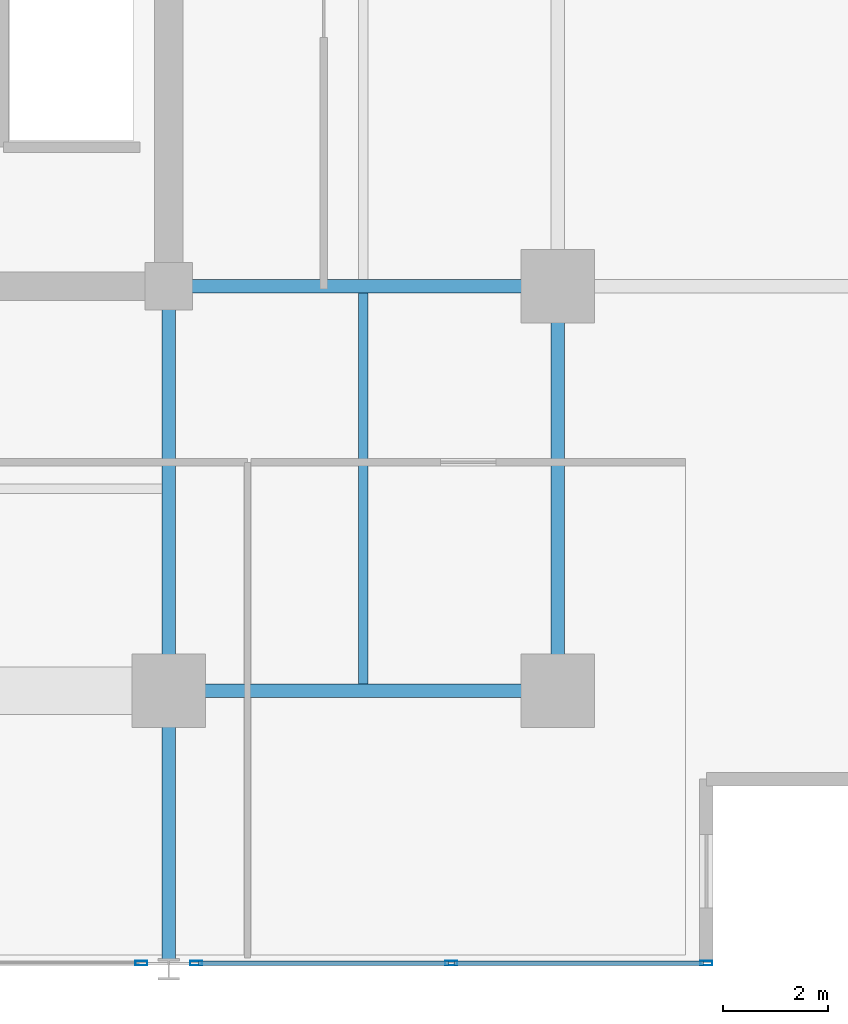
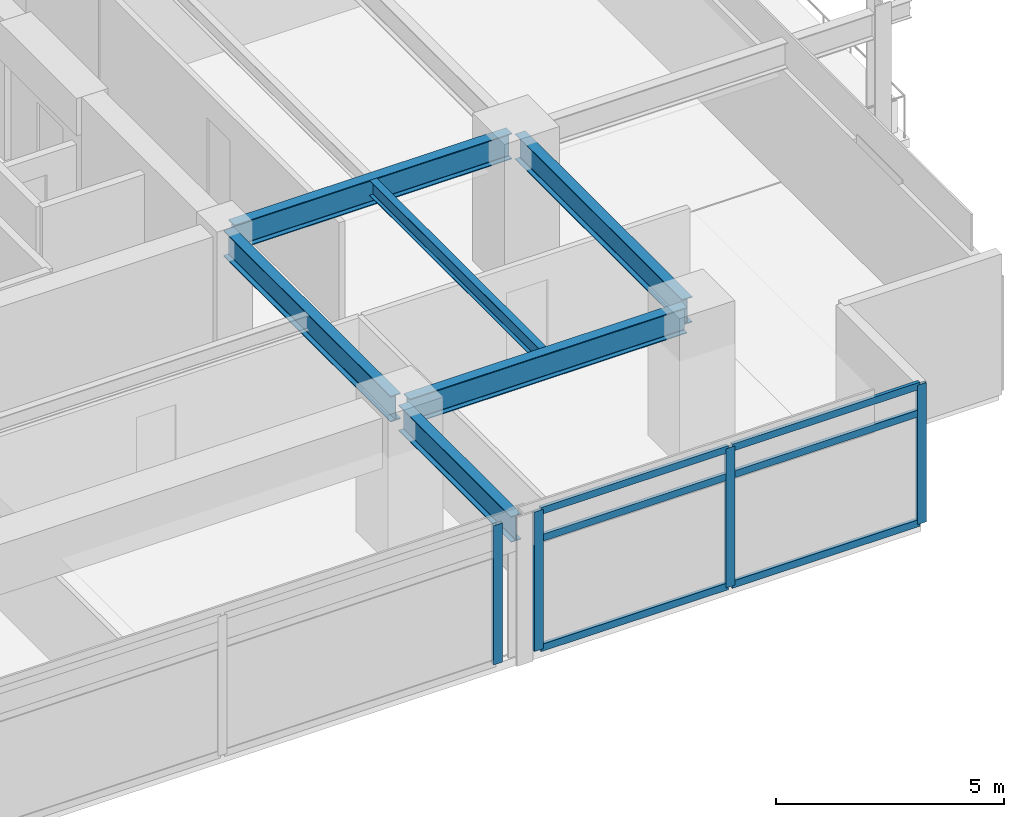
# One storey, part 9 of 20: 10 members, 6 beams, 2 elements without a shape of their own.
"""IFC4 building model written with IfcOpenShell, lengths in metres."""

from ifc_helpers import new_model, si_unit, direction, frame, origin, origin_2d, place, context, subcontext, project, spatial, hollow_rectangle, i_section, extrude, material, material_profile, profile_set, type_object, element, aggregate, save


model = new_model("IFC4")

# Units and contexts
model_context = context("Model", 3, precision=1e-05, world=origin(), true_north=direction((0.0, 1.0)))
body_context = subcontext(model_context, "Body", "Model", "MODEL_VIEW")
ifc_project = project(units=[si_unit("LENGTHUNIT", "METRE"), si_unit("AREAUNIT", "SQUARE_METRE"), si_unit("VOLUMEUNIT", "CUBIC_METRE"), si_unit("PLANEANGLEUNIT", "RADIAN"), si_unit("MASSUNIT", "GRAM", prefix="KILO")], contexts=[model_context])

# Site, building, storey
site_placement = place(None, origin())
site = spatial("IfcSite", under=ifc_project, at=site_placement, CompositionType="ELEMENT")
building_placement = place(site_placement, origin())
building = spatial("IfcBuilding", under=site, at=building_placement, Name="Kovane Verandah Tower", CompositionType="ELEMENT")
storey_placement = place(building_placement, frame((0.0, 0.0, 213.199951171875)))
storey = spatial("IfcBuildingStorey", under=building, at=storey_placement, Name="L49", CompositionType="ELEMENT", Elevation=213.199951171875)

# Beams
ifc_material_1 = material(Name="Steel S355", Category="steel")
ifc_material_profile_1 = material_profile(ifc_material_1, i_section(OverallWidth=0.255859375, OverallDepth=0.69287109375, WebThickness=0.014404296875, FlangeThickness=0.023681640625, FilletRadius=0.01513671875, at=origin_2d()), Name="UB686x254x170")
ifc_profile_set_1 = profile_set([ifc_material_profile_1], Name="Steel S355")
beam_type_1 = type_object("IfcBeamType", Name="BM-UB686x170", PredefinedType="BEAM", material=ifc_profile_set_1)
beam_1_placement = place(storey_placement, frame((51.179931640625, 10.800048828125, 3.428466796875), z_axis=(1.0, 0.0, 0.0), x_axis=(0.0, 1.0, 0.0)))
element("IfcBeam", 1, at=beam_1_placement, inside=storey, type_object=beam_type_1, Name="L49 Primary Tower Girder G-RS3", PredefinedType="BEAM", context=body_context, shape_type="SweptSolid", body=[
    extrude(i_section(OverallWidth=0.255859375, OverallDepth=0.69287109375, WebThickness=0.014404296875, FlangeThickness=0.023681640625, FilletRadius=0.01513671875, at=origin_2d()), origin(), (0.0, 0.0, 1.0), 7.0400390625),
])
beam_2_placement = place(storey_placement, frame((58.39990234375, 10.97998046875, 3.428466796875), z_axis=(0.0, 1.0, 0.0), x_axis=(-1.0, 0.0, 0.0)))
element("IfcBeam", 2, at=beam_2_placement, inside=storey, type_object=beam_type_1, Name="L49 Primary Tower Girder G-RE1", PredefinedType="BEAM", context=body_context, shape_type="SweptSolid", body=[
    extrude(i_section(OverallWidth=0.255859375, OverallDepth=0.69287109375, WebThickness=0.014404296875, FlangeThickness=0.023681640625, FilletRadius=0.01513671875, at=origin_2d()), origin(), (0.0, 0.0, 1.0), 7.340087890625),
])
beam_3_placement = place(storey_placement, frame((51.179931640625, 18.5, 3.428466796875), z_axis=(1.0, 0.0, 0.0), x_axis=(0.0, 1.0, 0.0)))
element("IfcBeam", 3, at=beam_3_placement, inside=storey, type_object=beam_type_1, Name="L49 Primary Tower Girder G-E1", PredefinedType="BEAM", context=body_context, shape_type="SweptSolid", body=[
    extrude(i_section(OverallWidth=0.255859375, OverallDepth=0.69287109375, WebThickness=0.014404296875, FlangeThickness=0.023681640625, FilletRadius=0.01513671875, at=origin_2d()), origin(), (0.0, 0.0, 1.0), 7.0400390625),
])
beam_4_placement = place(storey_placement, frame((51.0, 18.320068359375, 3.428466796875), z_axis=(0.0, -1.0, 0.0), x_axis=(1.0, 0.0, 0.0)))
element("IfcBeam", 4, at=beam_4_placement, inside=storey, type_object=beam_type_1, Name="L49 Primary Tower Girder G-S2", PredefinedType="BEAM", context=body_context, shape_type="SweptSolid", body=[
    extrude(i_section(OverallWidth=0.255859375, OverallDepth=0.69287109375, WebThickness=0.014404296875, FlangeThickness=0.023681640625, FilletRadius=0.01513671875, at=origin_2d()), origin(), (0.0, 0.0, 1.0), 7.340087890625),
])
beam_5_placement = place(storey_placement, frame((51.0, 10.6201171875, 3.41357421875), z_axis=(0.0, -1.0, 0.0), x_axis=(1.0, 0.0, 0.0)))
element("IfcBeam", 5, at=beam_5_placement, inside=storey, type_object=beam_type_1, Name="L49 Primary Tower Girder G-VS2", PredefinedType="BEAM", context=body_context, shape_type="SweptSolid", body=[
    extrude(i_section(OverallWidth=0.255859375, OverallDepth=0.69287109375, WebThickness=0.014404296875, FlangeThickness=0.023681640625, FilletRadius=0.01513671875, at=origin_2d()), origin(), (0.0, 0.0, 1.0), 4.940185546875),
])

# Curtain wall, member
ifc_material_2 = material(Name="Champagne Anodised Aluminium Frame with Low-E Clear Laminated Glass", Category="aluminium")
curtain_wall_type = type_object("IfcCurtainWallType", Name="CW-SYS-03-MID", PredefinedType="NOTDEFINED", material=ifc_material_2)
curtain_wall_1_placement = place(storey_placement, origin())
curtain_wall_1 = element("IfcCurtainWall", 6, at=curtain_wall_1_placement, inside=storey, type_object=curtain_wall_type, Name="L49 S Unitised Curtain Wall-2", PredefinedType="NOTDEFINED")
ifc_material_3 = material(Name="Champagne Anodised Aluminium 6063-T6", Category="aluminium")
ifc_material_profile_2 = material_profile(ifc_material_3, hollow_rectangle(XDim=0.0849609375, YDim=0.22998046875, WallThickness=0.00390625, at=origin_2d()), Name="AL85x230x4")
ifc_profile_set_2 = profile_set([ifc_material_profile_2], Name="Champagne Anodised Aluminium 6063-T6")
member_type_1 = type_object("IfcMemberType", Name="CW-MUL-85x230", PredefinedType="MULLION", material=ifc_profile_set_2)
member_1_placement = place(storey_placement, frame((50.47998046875, 5.619384765625, 0.02001953125), z_axis=(0.0, 0.0, 1.0), x_axis=(0.0, -1.0, 0.0)))
member_1 = element("IfcMember", 7, at=member_1_placement, type_object=member_type_1, Name="L49 S Unitised Curtain Wall-2 Mullion 4", PredefinedType="MULLION", context=body_context, shape_type="SweptSolid", body=[
    extrude(hollow_rectangle(XDim=0.0849609375, YDim=0.22998046875, WallThickness=0.00390625, at=origin_2d()), origin(), (0.0, 0.0, 1.0), 3.735107421875),
])
aggregate(curtain_wall_1, [member_1])

# Curtain wall, members
curtain_wall_2_placement = place(storey_placement, origin())
curtain_wall_2 = element("IfcCurtainWall", 8, at=curtain_wall_2_placement, inside=storey, type_object=curtain_wall_type, Name="L49 S Unitised Curtain Wall-3", PredefinedType="NOTDEFINED")
member_2_placement = place(storey_placement, frame((51.52001953125, 5.619384765625, 0.02001953125), z_axis=(0.0, 0.0, 1.0), x_axis=(0.0, -1.0, 0.0)))
member_2 = element("IfcMember", 9, at=member_2_placement, type_object=member_type_1, Name="L49 S Unitised Curtain Wall-3 Mullion 1", PredefinedType="MULLION", context=body_context, shape_type="SweptSolid", body=[
    extrude(hollow_rectangle(XDim=0.0849609375, YDim=0.22998046875, WallThickness=0.00390625, at=origin_2d()), origin(), (0.0, 0.0, 1.0), 3.735107421875),
])
member_3_placement = place(storey_placement, frame((56.375732421875, 5.619384765625, 0.02001953125), z_axis=(0.0, 0.0, 1.0), x_axis=(0.0, -1.0, 0.0)))
member_3 = element("IfcMember", 10, at=member_3_placement, type_object=member_type_1, Name="L49 S Unitised Curtain Wall-3 Mullion 2", PredefinedType="MULLION", context=body_context, shape_type="SweptSolid", body=[
    extrude(hollow_rectangle(XDim=0.0849609375, YDim=0.22998046875, WallThickness=0.00390625, at=origin_2d()), origin(), (0.0, 0.0, 1.0), 3.735107421875),
])
member_4_placement = place(storey_placement, frame((61.231689453125, 5.619384765625, 0.02001953125), z_axis=(0.0, 0.0, 1.0), x_axis=(0.0, -1.0, 0.0)))
member_4 = element("IfcMember", 11, at=member_4_placement, type_object=member_type_1, Name="L49 S Unitised Curtain Wall-3 Mullion 3", PredefinedType="MULLION", context=body_context, shape_type="SweptSolid", body=[
    extrude(hollow_rectangle(XDim=0.0849609375, YDim=0.22998046875, WallThickness=0.00390625, at=origin_2d()), origin(), (0.0, 0.0, 1.0), 3.735107421875),
])
ifc_material_profile_3 = material_profile(ifc_material_3, hollow_rectangle(XDim=0.0849609375, YDim=0.18994140625, WallThickness=0.00390625, at=origin_2d()), Name="AL85x190x4")
ifc_profile_set_3 = profile_set([ifc_material_profile_3], Name="Champagne Anodised Aluminium 6063-T6")
member_type_2 = type_object("IfcMemberType", Name="CW-TRN-85x190", PredefinedType="USERDEFINED", material=ifc_profile_set_3)
member_5_placement = place(storey_placement, frame((51.570068359375, 5.619384765625, 0.050048828125), z_axis=(1.0, 0.0, 0.0), x_axis=(0.0, 1.0, 0.0)))
member_5 = element("IfcMember", 12, at=member_5_placement, type_object=member_type_2, Name="L49 S Unitised Curtain Wall-3 Transom TB Bay 1", ObjectType="TRANSOM", PredefinedType="USERDEFINED", context=body_context, shape_type="SweptSolid", body=[
    extrude(hollow_rectangle(XDim=0.0849609375, YDim=0.18994140625, WallThickness=0.00390625, at=origin_2d()), origin(), (0.0, 0.0, 1.0), 4.755859375),
])
member_6_placement = place(storey_placement, frame((51.570068359375, 5.619384765625, 2.9951171875), z_axis=(1.0, 0.0, 0.0), x_axis=(0.0, 1.0, 0.0)))
member_6 = element("IfcMember", 13, at=member_6_placement, type_object=member_type_2, Name="L49 S Unitised Curtain Wall-3 Transom TM Bay 1", ObjectType="TRANSOM", PredefinedType="USERDEFINED", context=body_context, shape_type="SweptSolid", body=[
    extrude(hollow_rectangle(XDim=0.0849609375, YDim=0.18994140625, WallThickness=0.00390625, at=origin_2d()), origin(), (0.0, 0.0, 1.0), 4.755859375),
])
member_7_placement = place(storey_placement, frame((51.570068359375, 5.619384765625, 3.72509765625), z_axis=(1.0, 0.0, 0.0), x_axis=(0.0, 1.0, 0.0)))
member_7 = element("IfcMember", 14, at=member_7_placement, type_object=member_type_2, Name="L49 S Unitised Curtain Wall-3 Transom TT Bay 1", ObjectType="TRANSOM", PredefinedType="USERDEFINED", context=body_context, shape_type="SweptSolid", body=[
    extrude(hollow_rectangle(XDim=0.0849609375, YDim=0.18994140625, WallThickness=0.00390625, at=origin_2d()), origin(), (0.0, 0.0, 1.0), 4.755859375),
])
member_8_placement = place(storey_placement, frame((56.42578125, 5.619384765625, 0.050048828125), z_axis=(1.0, 0.0, 0.0), x_axis=(0.0, 1.0, 0.0)))
member_8 = element("IfcMember", 15, at=member_8_placement, type_object=member_type_2, Name="L49 S Unitised Curtain Wall-3 Transom TB Bay 2", ObjectType="TRANSOM", PredefinedType="USERDEFINED", context=body_context, shape_type="SweptSolid", body=[
    extrude(hollow_rectangle(XDim=0.0849609375, YDim=0.18994140625, WallThickness=0.00390625, at=origin_2d()), origin(), (0.0, 0.0, 1.0), 4.755859375),
])
member_9_placement = place(storey_placement, frame((56.42578125, 5.619384765625, 2.9951171875), z_axis=(1.0, 0.0, 0.0), x_axis=(0.0, 1.0, 0.0)))
member_9 = element("IfcMember", 16, at=member_9_placement, type_object=member_type_2, Name="L49 S Unitised Curtain Wall-3 Transom TM Bay 2", ObjectType="TRANSOM", PredefinedType="USERDEFINED", context=body_context, shape_type="SweptSolid", body=[
    extrude(hollow_rectangle(XDim=0.0849609375, YDim=0.18994140625, WallThickness=0.00390625, at=origin_2d()), origin(), (0.0, 0.0, 1.0), 4.755859375),
])
member_10_placement = place(storey_placement, frame((56.42578125, 5.619384765625, 3.72509765625), z_axis=(1.0, 0.0, 0.0), x_axis=(0.0, 1.0, 0.0)))
member_10 = element("IfcMember", 17, at=member_10_placement, type_object=member_type_2, Name="L49 S Unitised Curtain Wall-3 Transom TT Bay 2", ObjectType="TRANSOM", PredefinedType="USERDEFINED", context=body_context, shape_type="SweptSolid", body=[
    extrude(hollow_rectangle(XDim=0.0849609375, YDim=0.18994140625, WallThickness=0.00390625, at=origin_2d()), origin(), (0.0, 0.0, 1.0), 4.755859375),
])
aggregate(curtain_wall_2, [member_2, member_3, member_4, member_5, member_6, member_7, member_8, member_9, member_10])

# Beam
ifc_material_profile_4 = material_profile(ifc_material_1, i_section(OverallWidth=0.179443359375, OverallDepth=0.412841796875, WebThickness=0.009521484375, FlangeThickness=0.01611328125, FilletRadius=0.01025390625, at=origin_2d()), Name="UB406x178x74")
ifc_profile_set_4 = profile_set([ifc_material_profile_4], Name="Steel S355")
beam_type_2 = type_object("IfcBeamType", Name="JST-UB406x74", PredefinedType="JOIST", material=ifc_profile_set_4)
beam_6_placement = place(storey_placement, frame((54.699951171875, 10.92578125, 3.568603515625), z_axis=(0.0, 1.0, 0.0), x_axis=(-1.0, 0.0, 0.0)))
element("IfcBeam", 18, at=beam_6_placement, inside=storey, type_object=beam_type_2, Name="L49 Secondary Composite Joist J-SE1", PredefinedType="JOIST", context=body_context, shape_type="SweptSolid", body=[
    extrude(i_section(OverallWidth=0.179443359375, OverallDepth=0.412841796875, WebThickness=0.009521484375, FlangeThickness=0.01611328125, FilletRadius=0.01025390625, at=origin_2d()), origin(), (0.0, 0.0, 1.0), 7.4482421875),
])

save(model, "model.ifc")
